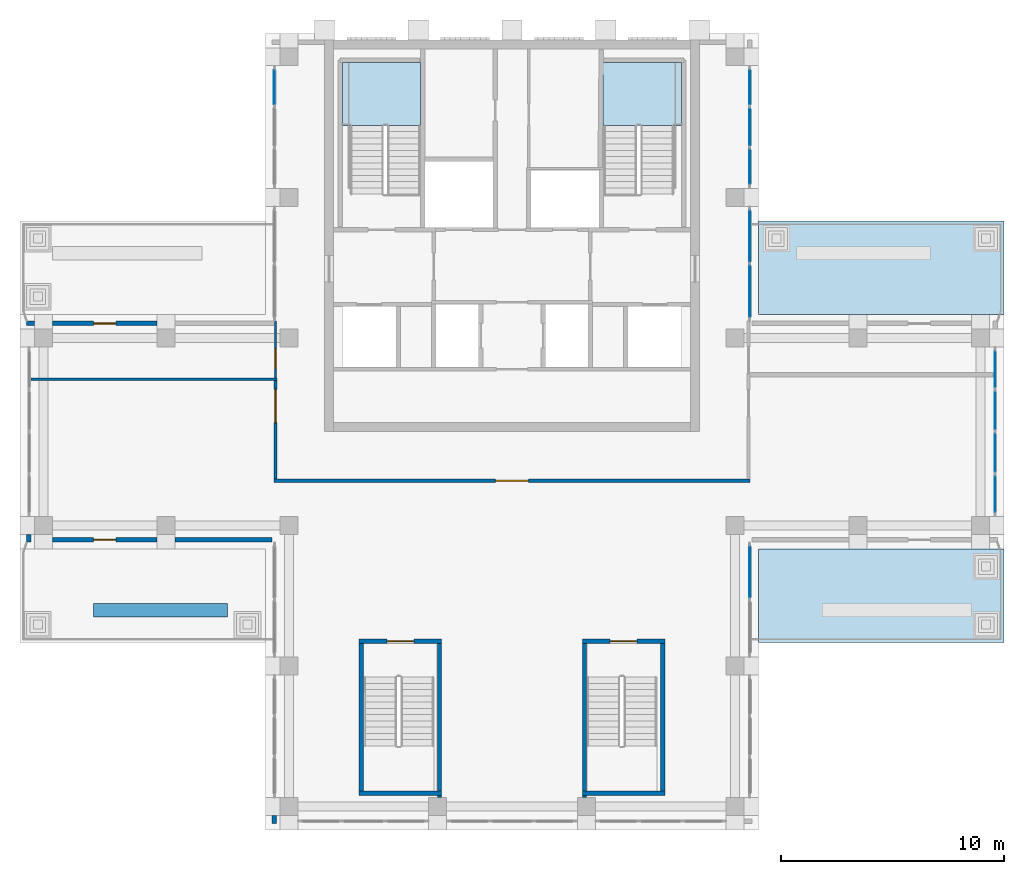
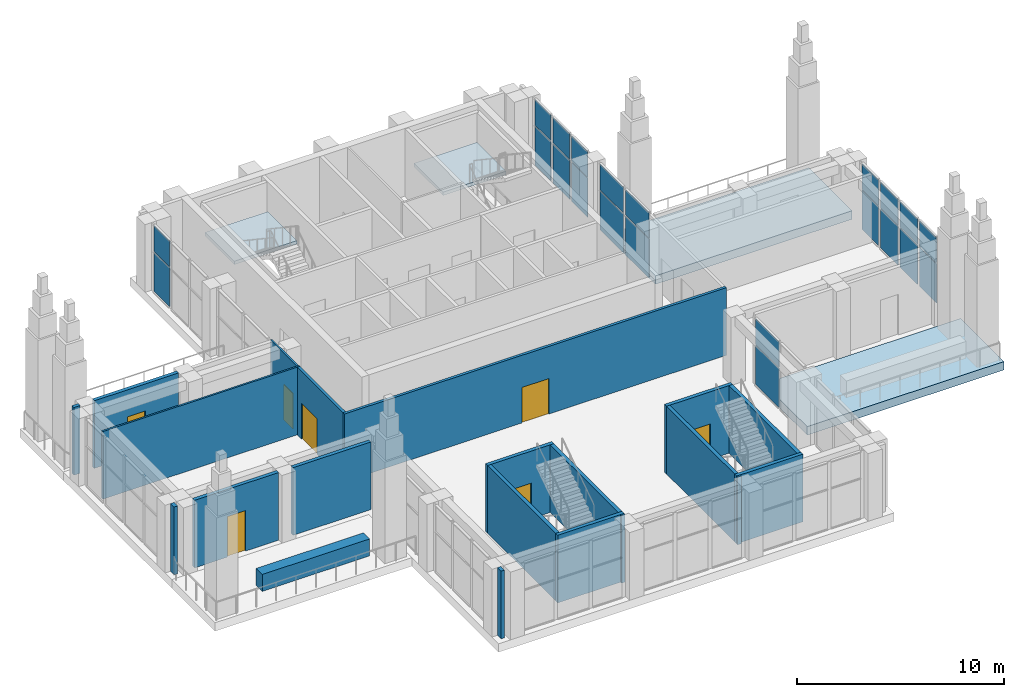
# One storey, part 8 of 14: 22 plates, 19 walls, 7 doors, 4 slabs, 7 openings, 7 elements without a shape of their own.
"""IFC4 building model written with IfcOpenShell, lengths in metres."""

from ifc_helpers import new_model, si_unit, direction, frame, frame_2d, origin, origin_2d, place, context, subcontext, project, spatial, polyline, rectangle, outline, extrude, material, layer, layer_set, type_object, element, fill, aggregate, save


model = new_model("IFC4")

# Units and contexts
model_context = context("Model", 3, precision=1e-05, world=origin(), true_north=direction((0.0, 1.0)))
body_context = subcontext(model_context, "Body", "Model", "MODEL_VIEW")
ifc_project = project(units=[si_unit("LENGTHUNIT", "METRE"), si_unit("AREAUNIT", "SQUARE_METRE"), si_unit("VOLUMEUNIT", "CUBIC_METRE"), si_unit("PLANEANGLEUNIT", "RADIAN"), si_unit("MASSUNIT", "GRAM", prefix="KILO")], contexts=[model_context])

# Site, building, storey
site_placement = place(None, origin())
site = spatial("IfcSite", under=ifc_project, at=site_placement, CompositionType="ELEMENT")
building_placement = place(site_placement, origin())
building = spatial("IfcBuilding", under=site, at=building_placement, Name="Vermilion Ogive Tower", CompositionType="ELEMENT")
storey_placement = place(building_placement, frame((0.0, 0.0, 284.85009765625)))
storey = spatial("IfcBuildingStorey", under=building, at=storey_placement, Name="L74", CompositionType="ELEMENT", Elevation=284.85009765625)

# Curtain wall, plates
ifc_material_1 = material(Name="Low-iron laminated glazing in aluminium frame", Category="aluminium")
curtain_wall_type = type_object("IfcCurtainWallType", Name="Curtain wall CW3", PredefinedType="NOTDEFINED", material=ifc_material_1)
curtain_wall_1_placement = place(storey_placement, origin())
curtain_wall_1 = element("IfcCurtainWall", 1, at=curtain_wall_1_placement, inside=storey, type_object=curtain_wall_type, Name="CW3 glazing X12", PredefinedType="NOTDEFINED")
ifc_material_2 = material(Name="Low-iron laminated glazing in aluminium frame", Category="aluminium")
ifc_layer_1 = layer(ifc_material_2, 0.035888671875)
ifc_layer_set_1 = layer_set([ifc_layer_1], Name="CW3 glazing panel 36")
plate_type = type_object("IfcPlateType", Name="CW3 glazing panel 36", PredefinedType="CURTAIN_PANEL", material=ifc_layer_set_1)
plate_1_placement = place(storey_placement, frame((10.64990234375, -2.08740234375, 0.059814453125), z_axis=(0.0, 0.0, 1.0), x_axis=(0.0, 1.0, 0.0)))
plate_1 = element("IfcPlate", 2, at=plate_1_placement, type_object=plate_type, Name="CW3-X12 panel 2.1", PredefinedType="CURTAIN_PANEL", context=body_context, shape_type="SweptSolid", body=[
    extrude(rectangle(XDim=2.27490234375, YDim=0.035888671875, at=origin_2d()), origin(), (0.0, 0.0, 1.0), 2.31005859375),
])
plate_2_placement = place(storey_placement, frame((10.64990234375, -2.08740234375, 2.4296875), z_axis=(0.0, 0.0, 1.0), x_axis=(0.0, 1.0, 0.0)))
plate_2 = element("IfcPlate", 3, at=plate_2_placement, type_object=plate_type, Name="CW3-X12 panel 2.2", PredefinedType="CURTAIN_PANEL", context=body_context, shape_type="SweptSolid", body=[
    extrude(rectangle(XDim=2.27490234375, YDim=0.035888671875, at=origin_2d()), origin(), (0.0, 0.0, 1.0), 1.510009765625),
])
aggregate(curtain_wall_1, [plate_1, plate_2])

curtain_wall_2_placement = place(storey_placement, origin())
curtain_wall_2 = element("IfcCurtainWall", 4, at=curtain_wall_2_placement, inside=storey, type_object=curtain_wall_type, Name="CW3 glazing E1", PredefinedType="NOTDEFINED")
plate_3_placement = place(storey_placement, frame((21.64990234375, 1.39990234375, 0.059814453125), z_axis=(0.0, 0.0, 1.0), x_axis=(0.0, 1.0, 0.0)))
plate_3 = element("IfcPlate", 5, at=plate_3_placement, type_object=plate_type, Name="CW3-E1 panel 1.1", PredefinedType="CURTAIN_PANEL", context=body_context, shape_type="SweptSolid", body=[
    extrude(rectangle(XDim=1.60009765625, YDim=0.035888671875, at=origin_2d()), origin(), (0.0, 0.0, 1.0), 2.31005859375),
])
plate_4_placement = place(storey_placement, frame((21.64990234375, 1.39990234375, 2.4296875), z_axis=(0.0, 0.0, 1.0), x_axis=(0.0, 1.0, 0.0)))
plate_4 = element("IfcPlate", 6, at=plate_4_placement, type_object=plate_type, Name="CW3-E1 panel 1.2", PredefinedType="CURTAIN_PANEL", context=body_context, shape_type="SweptSolid", body=[
    extrude(rectangle(XDim=1.60009765625, YDim=0.035888671875, at=origin_2d()), origin(), (0.0, 0.0, 1.0), 1.510009765625),
])
plate_5_placement = place(storey_placement, frame((21.64990234375, 3.25, 0.059814453125), z_axis=(0.0, 0.0, 1.0), x_axis=(0.0, 1.0, 0.0)))
plate_5 = element("IfcPlate", 7, at=plate_5_placement, type_object=plate_type, Name="CW3-E1 panel 2.1", PredefinedType="CURTAIN_PANEL", context=body_context, shape_type="SweptSolid", body=[
    extrude(rectangle(XDim=1.699951171875, YDim=0.035888671875, at=origin_2d()), origin(), (0.0, 0.0, 1.0), 2.31005859375),
])
plate_6_placement = place(storey_placement, frame((21.64990234375, 3.25, 2.4296875), z_axis=(0.0, 0.0, 1.0), x_axis=(0.0, 1.0, 0.0)))
plate_6 = element("IfcPlate", 8, at=plate_6_placement, type_object=plate_type, Name="CW3-E1 panel 2.2", PredefinedType="CURTAIN_PANEL", context=body_context, shape_type="SweptSolid", body=[
    extrude(rectangle(XDim=1.699951171875, YDim=0.035888671875, at=origin_2d()), origin(), (0.0, 0.0, 1.0), 1.510009765625),
])
plate_7_placement = place(storey_placement, frame((21.64990234375, 5.14990234375, 0.059814453125), z_axis=(0.0, 0.0, 1.0), x_axis=(0.0, 1.0, 0.0)))
plate_7 = element("IfcPlate", 9, at=plate_7_placement, type_object=plate_type, Name="CW3-E1 panel 3.1", PredefinedType="CURTAIN_PANEL", context=body_context, shape_type="SweptSolid", body=[
    extrude(rectangle(XDim=1.699951171875, YDim=0.035888671875, at=origin_2d()), origin(), (0.0, 0.0, 1.0), 2.31005859375),
])
plate_8_placement = place(storey_placement, frame((21.64990234375, 5.14990234375, 2.4296875), z_axis=(0.0, 0.0, 1.0), x_axis=(0.0, 1.0, 0.0)))
plate_8 = element("IfcPlate", 10, at=plate_8_placement, type_object=plate_type, Name="CW3-E1 panel 3.2", PredefinedType="CURTAIN_PANEL", context=body_context, shape_type="SweptSolid", body=[
    extrude(rectangle(XDim=1.699951171875, YDim=0.035888671875, at=origin_2d()), origin(), (0.0, 0.0, 1.0), 1.510009765625),
])
plate_9_placement = place(storey_placement, frame((21.64990234375, 7.0, 0.059814453125), z_axis=(0.0, 0.0, 1.0), x_axis=(0.0, 1.0, 0.0)))
plate_9 = element("IfcPlate", 11, at=plate_9_placement, type_object=plate_type, Name="CW3-E1 panel 4.1", PredefinedType="CURTAIN_PANEL", context=body_context, shape_type="SweptSolid", body=[
    extrude(rectangle(XDim=1.60009765625, YDim=0.035888671875, at=origin_2d()), origin(), (0.0, 0.0, 1.0), 2.31005859375),
])
plate_10_placement = place(storey_placement, frame((21.64990234375, 7.0, 2.4296875), z_axis=(0.0, 0.0, 1.0), x_axis=(0.0, 1.0, 0.0)))
plate_10 = element("IfcPlate", 12, at=plate_10_placement, type_object=plate_type, Name="CW3-E1 panel 4.2", PredefinedType="CURTAIN_PANEL", context=body_context, shape_type="SweptSolid", body=[
    extrude(rectangle(XDim=1.60009765625, YDim=0.035888671875, at=origin_2d()), origin(), (0.0, 0.0, 1.0), 1.510009765625),
])
aggregate(curtain_wall_2, [plate_3, plate_4, plate_5, plate_6, plate_7, plate_8, plate_9, plate_10])

curtain_wall_3_placement = place(storey_placement, origin())
curtain_wall_3 = element("IfcCurtainWall", 13, at=curtain_wall_3_placement, inside=storey, type_object=curtain_wall_type, Name="CW3 glazing X41", PredefinedType="NOTDEFINED")
plate_11_placement = place(storey_placement, frame((10.64990234375, 10.487548828125, 0.059814453125), z_axis=(0.0, 0.0, 1.0), x_axis=(0.0, 1.0, 0.0)))
plate_11 = element("IfcPlate", 14, at=plate_11_placement, type_object=plate_type, Name="CW3-X41 panel 1.1", PredefinedType="CURTAIN_PANEL", context=body_context, shape_type="SweptSolid", body=[
    extrude(rectangle(XDim=2.27490234375, YDim=0.035888671875, at=origin_2d()), origin(), (0.0, 0.0, 1.0), 2.31005859375),
])
plate_12_placement = place(storey_placement, frame((10.64990234375, 10.487548828125, 2.4296875), z_axis=(0.0, 0.0, 1.0), x_axis=(0.0, 1.0, 0.0)))
plate_12 = element("IfcPlate", 15, at=plate_12_placement, type_object=plate_type, Name="CW3-X41 panel 1.2", PredefinedType="CURTAIN_PANEL", context=body_context, shape_type="SweptSolid", body=[
    extrude(rectangle(XDim=2.27490234375, YDim=0.035888671875, at=origin_2d()), origin(), (0.0, 0.0, 1.0), 1.510009765625),
])
plate_13_placement = place(storey_placement, frame((10.64990234375, 12.96240234375, 0.059814453125), z_axis=(0.0, 0.0, 1.0), x_axis=(0.0, 1.0, 0.0)))
plate_13 = element("IfcPlate", 16, at=plate_13_placement, type_object=plate_type, Name="CW3-X41 panel 2.1", PredefinedType="CURTAIN_PANEL", context=body_context, shape_type="SweptSolid", body=[
    extrude(rectangle(XDim=2.27490234375, YDim=0.035888671875, at=origin_2d()), origin(), (0.0, 0.0, 1.0), 2.31005859375),
])
plate_14_placement = place(storey_placement, frame((10.64990234375, 12.96240234375, 2.4296875), z_axis=(0.0, 0.0, 1.0), x_axis=(0.0, 1.0, 0.0)))
plate_14 = element("IfcPlate", 17, at=plate_14_placement, type_object=plate_type, Name="CW3-X41 panel 2.2", PredefinedType="CURTAIN_PANEL", context=body_context, shape_type="SweptSolid", body=[
    extrude(rectangle(XDim=2.27490234375, YDim=0.035888671875, at=origin_2d()), origin(), (0.0, 0.0, 1.0), 1.510009765625),
])
aggregate(curtain_wall_3, [plate_11, plate_12, plate_13, plate_14])

curtain_wall_4_placement = place(storey_placement, origin())
curtain_wall_4 = element("IfcCurtainWall", 18, at=curtain_wall_4_placement, inside=storey, type_object=curtain_wall_type, Name="CW3 glazing X42", PredefinedType="NOTDEFINED")
plate_15_placement = place(storey_placement, frame((10.64990234375, 16.066650390625, 0.059814453125), z_axis=(0.0, 0.0, 1.0), x_axis=(0.0, 1.0, 0.0)))
plate_15 = element("IfcPlate", 19, at=plate_15_placement, type_object=plate_type, Name="CW3-X42 panel 1.1", PredefinedType="CURTAIN_PANEL", context=body_context, shape_type="SweptSolid", body=[
    extrude(rectangle(XDim=1.533447265625, YDim=0.035888671875, at=origin_2d()), origin(), (0.0, 0.0, 1.0), 2.31005859375),
])
plate_16_placement = place(storey_placement, frame((10.64990234375, 16.066650390625, 2.4296875), z_axis=(0.0, 0.0, 1.0), x_axis=(0.0, 1.0, 0.0)))
plate_16 = element("IfcPlate", 20, at=plate_16_placement, type_object=plate_type, Name="CW3-X42 panel 1.2", PredefinedType="CURTAIN_PANEL", context=body_context, shape_type="SweptSolid", body=[
    extrude(rectangle(XDim=1.533447265625, YDim=0.035888671875, at=origin_2d()), origin(), (0.0, 0.0, 1.0), 1.510009765625),
])
plate_17_placement = place(storey_placement, frame((10.64990234375, 17.85009765625, 0.059814453125), z_axis=(0.0, 0.0, 1.0), x_axis=(0.0, 1.0, 0.0)))
plate_17 = element("IfcPlate", 21, at=plate_17_placement, type_object=plate_type, Name="CW3-X42 panel 2.1", PredefinedType="CURTAIN_PANEL", context=body_context, shape_type="SweptSolid", body=[
    extrude(rectangle(XDim=1.63330078125, YDim=0.035888671875, at=origin_2d()), origin(), (0.0, 0.0, 1.0), 2.31005859375),
])
plate_18_placement = place(storey_placement, frame((10.64990234375, 17.85009765625, 2.4296875), z_axis=(0.0, 0.0, 1.0), x_axis=(0.0, 1.0, 0.0)))
plate_18 = element("IfcPlate", 22, at=plate_18_placement, type_object=plate_type, Name="CW3-X42 panel 2.2", PredefinedType="CURTAIN_PANEL", context=body_context, shape_type="SweptSolid", body=[
    extrude(rectangle(XDim=1.63330078125, YDim=0.035888671875, at=origin_2d()), origin(), (0.0, 0.0, 1.0), 1.510009765625),
])
plate_19_placement = place(storey_placement, frame((10.64990234375, 19.63330078125, 0.059814453125), z_axis=(0.0, 0.0, 1.0), x_axis=(0.0, 1.0, 0.0)))
plate_19 = element("IfcPlate", 23, at=plate_19_placement, type_object=plate_type, Name="CW3-X42 panel 3.1", PredefinedType="CURTAIN_PANEL", context=body_context, shape_type="SweptSolid", body=[
    extrude(rectangle(XDim=1.533447265625, YDim=0.035888671875, at=origin_2d()), origin(), (0.0, 0.0, 1.0), 2.31005859375),
])
plate_20_placement = place(storey_placement, frame((10.64990234375, 19.63330078125, 2.4296875), z_axis=(0.0, 0.0, 1.0), x_axis=(0.0, 1.0, 0.0)))
plate_20 = element("IfcPlate", 24, at=plate_20_placement, type_object=plate_type, Name="CW3-X42 panel 3.2", PredefinedType="CURTAIN_PANEL", context=body_context, shape_type="SweptSolid", body=[
    extrude(rectangle(XDim=1.533447265625, YDim=0.035888671875, at=origin_2d()), origin(), (0.0, 0.0, 1.0), 1.510009765625),
])
aggregate(curtain_wall_4, [plate_15, plate_16, plate_17, plate_18, plate_19, plate_20])

curtain_wall_5_placement = place(storey_placement, origin())
curtain_wall_5 = element("IfcCurtainWall", 25, at=curtain_wall_5_placement, inside=storey, type_object=curtain_wall_type, Name="CW3 glazing X51", PredefinedType="NOTDEFINED")
plate_21_placement = place(storey_placement, frame((-10.64990234375, 19.63330078125, 0.059814453125), z_axis=(0.0, 0.0, 1.0), x_axis=(0.0, -1.0, 0.0)))
plate_21 = element("IfcPlate", 26, at=plate_21_placement, type_object=plate_type, Name="CW3-X51 panel 1.1", PredefinedType="CURTAIN_PANEL", context=body_context, shape_type="SweptSolid", body=[
    extrude(rectangle(XDim=1.533447265625, YDim=0.035888671875, at=origin_2d()), origin(), (0.0, 0.0, 1.0), 2.31005859375),
])
plate_22_placement = place(storey_placement, frame((-10.64990234375, 19.63330078125, 2.4296875), z_axis=(0.0, 0.0, 1.0), x_axis=(0.0, -1.0, 0.0)))
plate_22 = element("IfcPlate", 27, at=plate_22_placement, type_object=plate_type, Name="CW3-X51 panel 1.2", PredefinedType="CURTAIN_PANEL", context=body_context, shape_type="SweptSolid", body=[
    extrude(rectangle(XDim=1.533447265625, YDim=0.035888671875, at=origin_2d()), origin(), (0.0, 0.0, 1.0), 1.510009765625),
])
aggregate(curtain_wall_5, [plate_21, plate_22])

# Slabs
ifc_material_3 = material(Name="Concrete B45", Category="concrete")
ifc_layer_2 = layer(ifc_material_3, 0.5)
ifc_layer_set_2 = layer_set([ifc_layer_2], Name="Post-tensioned flat plate 500 B45")
slab_type_1 = type_object("IfcSlabType", Name="Post-tensioned flat plate 500 B45", PredefinedType="FLOOR", material=ifc_layer_set_2)
slab_1_placement = place(storey_placement, frame((0.0, 0.0, -0.5)))
element("IfcSlab", 28, at=slab_1_placement, inside=storey, type_object=slab_type_1, Name="L74-TR-1", PredefinedType="FLOOR", context=body_context, shape_type="SweptSolid", body=[
    extrude(outline(polyline([(11.050048828125, -5.25), (11.050048828125, -1.050048828125), (22.050048828125, -1.050048828125), (22.050048828125, -5.25), (11.050048828125, -5.25)])), origin(), (0.0, 0.0, 1.0), 0.5),
])
slab_2_placement = place(storey_placement, frame((0.0, 0.0, -0.5)))
element("IfcSlab", 29, at=slab_2_placement, inside=storey, type_object=slab_type_1, Name="L74-TR-3", PredefinedType="FLOOR", context=body_context, shape_type="SweptSolid", body=[
    extrude(outline(polyline([(22.050048828125, 9.449951171875), (11.050048828125, 9.449951171875), (11.050048828125, 13.64990234375), (22.050048828125, 13.64990234375), (22.050048828125, 9.449951171875)])), origin(), (0.0, 0.0, 1.0), 0.5),
])

# Stair, slab
ifc_material_4 = material(Name="Concrete B40", Category="concrete")
stair_type = type_object("IfcStairType", Name="Exit stair 1500", PredefinedType="HALF_TURN_STAIR", material=ifc_material_4)
stair_1_placement = place(storey_placement, origin())
stair_1 = element("IfcStair", 30, at=stair_1_placement, inside=storey, type_object=stair_type, Name="L74 Exit Stair ST1", PredefinedType="HALF_TURN_STAIR")
ifc_material_5 = material(Name="Concrete B40", Category="concrete")
ifc_layer_3 = layer(ifc_material_5, 0.199951171875)
ifc_layer_set_3 = layer_set([ifc_layer_3], Name="Stair landing 200")
slab_type_2 = type_object("IfcSlabType", Name="Stair landing 200", PredefinedType="LANDING", material=ifc_layer_set_3)
slab_3_placement = place(storey_placement, frame((0.0, 0.0, 2.0498046875)))
slab_3 = element("IfcSlab", 31, at=slab_3_placement, type_object=slab_type_2, Name="ST1 landing 1", PredefinedType="LANDING", context=body_context, shape_type="SweptSolid", body=[
    extrude(outline(polyline([(-7.60009765625, 17.929931640625), (-7.25, 17.929931640625), (-7.25, 17.927978515625), (-5.75, 17.927978515625), (-5.75, 17.929931640625), (-5.60009765625, 17.929931640625), (-5.60009765625, 17.927978515625), (-4.10009765625, 17.927978515625), (-4.10009765625, 20.75), (-7.60009765625, 20.75), (-7.60009765625, 17.929931640625)])), origin(), (0.0, 0.0, 1.0), 0.2001953125),
])
aggregate(stair_1, [slab_3])

stair_2_placement = place(storey_placement, origin())
stair_2 = element("IfcStair", 32, at=stair_2_placement, inside=storey, type_object=stair_type, Name="L74 Exit Stair ST2", PredefinedType="HALF_TURN_STAIR")
slab_4_placement = place(storey_placement, frame((0.0, 0.0, 2.0498046875)))
slab_4 = element("IfcSlab", 33, at=slab_4_placement, type_object=slab_type_2, Name="ST2 landing 1", PredefinedType="LANDING", context=body_context, shape_type="SweptSolid", body=[
    extrude(outline(polyline([(5.60009765625, 17.929931640625), (5.75, 17.929931640625), (5.75, 17.927978515625), (7.25, 17.927978515625), (7.25, 17.929931640625), (7.60009765625, 17.929931640625), (7.60009765625, 20.75), (4.074951171875, 20.75), (4.074951171875, 17.929931640625), (4.10009765625, 17.929931640625), (4.10009765625, 17.927978515625), (5.60009765625, 17.927978515625), (5.60009765625, 17.929931640625)])), origin(), (0.0, 0.0, 1.0), 0.2001953125),
])
aggregate(stair_2, [slab_4])

# Wall
ifc_material_6 = material(Name="Gypsum board partition on steel studs", Category="steel")
ifc_layer_4 = layer(ifc_material_6, 0.10009765625)
ifc_layer_set_4 = layer_set([ifc_layer_4], Name="Partition 100 bath")
wall_type_1 = type_object("IfcWallType", Name="Partition 100 bath", PredefinedType="PARTITIONING", material=ifc_layer_set_4)
wall_1_placement = place(storey_placement, frame((-21.550048828125, 6.550048828125, 0.0), z_axis=(0.0, 0.0, 1.0), x_axis=(1.0, 0.0, 0.0)))
element("IfcWall", 34, at=wall_1_placement, inside=storey, type_object=wall_type_1, Name="L74-FS-W-W002", PredefinedType="PARTITIONING", context=body_context, shape_type="SweptSolid", body=[
    extrude(rectangle(XDim=11.025146484375, YDim=0.10009765625, at=frame_2d((5.5126953125, 0.0))), origin(), (0.0, 0.0, 1.0), 4.0),
])

# Wall, opening, door
wall_2_placement = place(storey_placement, frame((-10.60009765625, 6.60009765625, 0.0), z_axis=(0.0, 0.0, 1.0), x_axis=(0.0, 1.0, 0.0)))
wall_2 = element("IfcWall", 35, at=wall_2_placement, inside=storey, type_object=wall_type_1, Name="L74-FS-W-W005", PredefinedType="PARTITIONING", context=body_context, shape_type="SweptSolid", body=[
    extrude(rectangle(XDim=2.5498046875, YDim=0.10009765625, at=frame_2d((1.27490234375, 0.0))), origin(), (0.0, 0.0, 1.0), 4.0),
])
opening_1_placement = place(wall_2_placement, frame((0.4248046875, 0.0, 0.0)))
opening_1 = element("IfcOpeningElement", 36, at=opening_1_placement, cuts=wall_2, Name="Opening L74S003", PredefinedType="OPENING", context=body_context, shape_type="SweptSolid", body=[
    extrude(rectangle(XDim=0.89990234375, YDim=2.10009765625, at=frame_2d((0.449951171875, 1.050048828125))), frame((0.0, 0.06005859375, 0.0), z_axis=(0.0, -1.0, 0.0), x_axis=(1.0, 0.0, 0.0)), (0.0, 0.0, 1.0), 0.1201171875),
])
ifc_material_7 = material(Name="Timber door leaf", Category="wood")
door_type_1 = type_object("IfcDoorType", Name="Room door 900 x 2100 FD30", OperationType="SINGLE_SWING_LEFT", PredefinedType="DOOR", material=ifc_material_7)
door_1_placement = place(opening_1_placement, origin())
door_1 = element("IfcDoor", 37, at=door_1_placement, inside=storey, type_object=door_type_1, Name="L74-FS-D-D003", OperationType="SINGLE_SWING_LEFT", OverallHeight=2.10009765625, OverallWidth=0.89990234375, PredefinedType="DOOR", context=body_context, shape_type="SweptSolid", body=[
    extrude(rectangle(XDim=0.89990234375, YDim=2.10009765625, at=frame_2d((0.449951171875, 1.050048828125))), frame((0.0, 0.02490234375, 0.0), z_axis=(0.0, -1.0, 0.0), x_axis=(1.0, 0.0, 0.0)), (0.0, 0.0, 1.0), 0.050048828125),
])
fill(opening_1, door_1)

ifc_material_8 = material(Name="Gypsum board partition on steel studs", Category="steel")
ifc_layer_5 = layer(ifc_material_8, 0.14990234375)
ifc_layer_set_5 = layer_set([ifc_layer_5], Name="Partition 150 corridor")
wall_type_2 = type_object("IfcWallType", Name="Partition 150 corridor", PredefinedType="PARTITIONING", material=ifc_layer_set_5)
wall_3_placement = place(storey_placement, frame((-10.675048828125, 2.0, 0.0), z_axis=(0.0, 0.0, 1.0), x_axis=(1.0, 0.0, 0.0)))
wall_3 = element("IfcWall", 38, at=wall_3_placement, inside=storey, type_object=wall_type_2, Name="L74-FS-W-W001", PredefinedType="PARTITIONING", context=body_context, shape_type="SweptSolid", body=[
    extrude(rectangle(XDim=21.35009765625, YDim=0.14990234375, at=frame_2d((10.675048828125, 0.0))), origin(), (0.0, 0.0, 1.0), 4.0),
])
opening_2_placement = place(wall_3_placement, frame((9.925048828125, 0.0, 0.0)))
opening_2 = element("IfcOpeningElement", 39, at=opening_2_placement, cuts=wall_3, Name="Opening L74S001", PredefinedType="OPENING", context=body_context, shape_type="SweptSolid", body=[
    extrude(rectangle(XDim=1.5, YDim=2.10009765625, at=frame_2d((0.75, 1.050048828125))), frame((0.0, 0.0849609375, 0.0), z_axis=(0.0, -1.0, 0.0), x_axis=(1.0, 0.0, 0.0)), (0.0, 0.0, 1.0), 0.169921875),
])
ifc_material_9 = material(Name="Timber door leaf", Category="wood")
door_type_2 = type_object("IfcDoorType", Name="Assembly door 1500 x 2100 FD30", OperationType="DOUBLE_DOOR_SINGLE_SWING", PredefinedType="DOOR", material=ifc_material_9)
door_2_placement = place(opening_2_placement, origin())
door_2 = element("IfcDoor", 40, at=door_2_placement, inside=storey, type_object=door_type_2, Name="L74-FS-D-D001", OperationType="DOUBLE_DOOR_SINGLE_SWING", OverallHeight=2.10009765625, OverallWidth=1.5, PredefinedType="DOOR", context=body_context, shape_type="SweptSolid", body=[
    extrude(rectangle(XDim=1.5, YDim=2.10009765625, at=frame_2d((0.75, 1.050048828125))), frame((0.0, 0.02490234375, 0.0), z_axis=(0.0, -1.0, 0.0), x_axis=(1.0, 0.0, 0.0)), (0.0, 0.0, 1.0), 0.050048828125),
])
fill(opening_2, door_2)

wall_4_placement = place(storey_placement, frame((-10.60009765625, 2.074951171875, 0.0), z_axis=(0.0, 0.0, 1.0), x_axis=(0.0, 1.0, 0.0)))
wall_4 = element("IfcWall", 41, at=wall_4_placement, inside=storey, type_object=wall_type_2, Name="L74-FS-W-W004", PredefinedType="PARTITIONING", context=body_context, shape_type="SweptSolid", body=[
    extrude(rectangle(XDim=4.425048828125, YDim=0.14990234375, at=frame_2d((2.21240234375, 0.0))), origin(), (0.0, 0.0, 1.0), 4.0),
])
opening_3_placement = place(wall_4_placement, frame((2.525146484375, 0.0, 0.0)))
opening_3 = element("IfcOpeningElement", 42, at=opening_3_placement, cuts=wall_4, Name="Opening L74S002", PredefinedType="OPENING", context=body_context, shape_type="SweptSolid", body=[
    extrude(rectangle(XDim=1.5, YDim=2.10009765625, at=frame_2d((0.75, 1.050048828125))), frame((0.0, 0.0849609375, 0.0), z_axis=(0.0, -1.0, 0.0), x_axis=(1.0, 0.0, 0.0)), (0.0, 0.0, 1.0), 0.169921875),
])
door_3_placement = place(opening_3_placement, origin())
door_3 = element("IfcDoor", 43, at=door_3_placement, inside=storey, type_object=door_type_2, Name="L74-FS-D-D002", OperationType="DOUBLE_DOOR_SINGLE_SWING", OverallHeight=2.10009765625, OverallWidth=1.5, PredefinedType="DOOR", context=body_context, shape_type="SweptSolid", body=[
    extrude(rectangle(XDim=1.5, YDim=2.10009765625, at=frame_2d((0.75, 1.050048828125))), frame((0.0, 0.02490234375, 0.0), z_axis=(0.0, -1.0, 0.0), x_axis=(1.0, 0.0, 0.0)), (0.0, 0.0, 1.0), 0.050048828125),
])
fill(opening_3, door_3)

ifc_material_10 = material(Name="Concrete B60", Category="concrete")
ifc_layer_6 = layer(ifc_material_10, 0.199951171875)
ifc_layer_set_6 = layer_set([ifc_layer_6], Name="Stair enclosure wall 200 Concrete B60")
wall_type_3 = type_object("IfcWallType", Name="Stair enclosure wall 200 Concrete B60", PredefinedType="PARTITIONING", material=ifc_layer_set_6)
wall_5_placement = place(storey_placement, frame((3.14990234375, -5.199951171875, 0.0), z_axis=(0.0, 0.0, 1.0), x_axis=(1.0, 0.0, 0.0)))
wall_5 = element("IfcWall", 44, at=wall_5_placement, inside=storey, type_object=wall_type_3, Name="L74-SW-ST6-N1", PredefinedType="PARTITIONING", context=body_context, shape_type="SweptSolid", body=[
    extrude(rectangle(XDim=3.7001953125, YDim=0.199951171875, at=frame_2d((1.85009765625, 0.0))), origin(), (0.0, 0.0, 1.0), 4.0),
])
opening_4_placement = place(wall_5_placement, frame((1.25, 0.0, 0.0)))
opening_4 = element("IfcOpeningElement", 45, at=opening_4_placement, cuts=wall_5, Name="Opening L74-SD6", PredefinedType="OPENING", context=body_context, shape_type="SweptSolid", body=[
    extrude(rectangle(XDim=1.199951171875, YDim=2.10009765625, at=frame_2d((0.60009765625, 1.050048828125))), frame((0.0, 0.10986328125, 0.0), z_axis=(0.0, -1.0, 0.0), x_axis=(1.0, 0.0, 0.0)), (0.0, 0.0, 1.0), 0.219970703125),
])
ifc_material_11 = material(Name="Timber door leaf", Category="wood")
door_type_3 = type_object("IfcDoorType", Name="Stair door 1200 x 2100 FD60S", OperationType="SINGLE_SWING_LEFT", PredefinedType="DOOR", material=ifc_material_11)
door_4_placement = place(opening_4_placement, origin())
door_4 = element("IfcDoor", 46, at=door_4_placement, inside=storey, type_object=door_type_3, Name="Stair door ST6", OperationType="SINGLE_SWING_LEFT", OverallHeight=2.10009765625, OverallWidth=1.199951171875, PredefinedType="DOOR", context=body_context, shape_type="SweptSolid", body=[
    extrude(rectangle(XDim=1.199951171875, YDim=2.10009765625, at=frame_2d((0.60009765625, 1.050048828125))), frame((0.0, 0.02490234375, 0.0), z_axis=(0.0, -1.0, 0.0), x_axis=(1.0, 0.0, 0.0)), (0.0, 0.0, 1.0), 0.050048828125),
])
fill(opening_4, door_4)

wall_6_placement = place(storey_placement, frame((-6.85009765625, -5.199951171875, 0.0), z_axis=(0.0, 0.0, 1.0), x_axis=(1.0, 0.0, 0.0)))
wall_6 = element("IfcWall", 47, at=wall_6_placement, inside=storey, type_object=wall_type_3, Name="L74-SW-ST7-N1", PredefinedType="PARTITIONING", context=body_context, shape_type="SweptSolid", body=[
    extrude(rectangle(XDim=3.7001953125, YDim=0.199951171875, at=frame_2d((1.85009765625, 0.0))), origin(), (0.0, 0.0, 1.0), 4.0),
])
opening_5_placement = place(wall_6_placement, frame((1.25, 0.0, 0.0)))
opening_5 = element("IfcOpeningElement", 48, at=opening_5_placement, cuts=wall_6, Name="Opening L74-SD7", PredefinedType="OPENING", context=body_context, shape_type="SweptSolid", body=[
    extrude(rectangle(XDim=1.199951171875, YDim=2.10009765625, at=frame_2d((0.60009765625, 1.050048828125))), frame((0.0, 0.10986328125, 0.0), z_axis=(0.0, -1.0, 0.0), x_axis=(1.0, 0.0, 0.0)), (0.0, 0.0, 1.0), 0.219970703125),
])
door_5_placement = place(opening_5_placement, origin())
door_5 = element("IfcDoor", 49, at=door_5_placement, inside=storey, type_object=door_type_3, Name="Stair door ST7", OperationType="SINGLE_SWING_LEFT", OverallHeight=2.10009765625, OverallWidth=1.199951171875, PredefinedType="DOOR", context=body_context, shape_type="SweptSolid", body=[
    extrude(rectangle(XDim=1.199951171875, YDim=2.10009765625, at=frame_2d((0.60009765625, 1.050048828125))), frame((0.0, 0.02490234375, 0.0), z_axis=(0.0, -1.0, 0.0), x_axis=(1.0, 0.0, 0.0)), (0.0, 0.0, 1.0), 0.050048828125),
])
fill(opening_5, door_5)

# Walls
ifc_material_12 = material(Name="Concrete B60", Category="concrete")
ifc_layer_7 = layer(ifc_material_12, 0.199951171875)
ifc_layer_set_7 = layer_set([ifc_layer_7], Name="Stair shaft wall 200 Concrete B60")
wall_type_4 = type_object("IfcWallType", Name="Stair shaft wall 200 Concrete B60", PredefinedType="SOLIDWALL", material=ifc_layer_set_7)
wall_7_placement = place(storey_placement, frame((3.14990234375, -12.0, 0.0), z_axis=(0.0, 0.0, 1.0), x_axis=(1.0, 0.0, 0.0)))
element("IfcWall", 50, at=wall_7_placement, inside=storey, type_object=wall_type_4, Name="L74-SW-ST6-S1", PredefinedType="SOLIDWALL", context=body_context, shape_type="SweptSolid", body=[
    extrude(rectangle(XDim=3.7001953125, YDim=0.199951171875, at=frame_2d((1.85009765625, 0.0))), origin(), (0.0, 0.0, 1.0), 4.0),
])
wall_8_placement = place(storey_placement, frame((3.25, -12.199951171875, 0.0), z_axis=(0.0, 0.0, 1.0), x_axis=(0.0, 1.0, 0.0)))
element("IfcWall", 51, at=wall_8_placement, inside=storey, type_object=wall_type_4, Name="L74-SW-ST6-W1", PredefinedType="SOLIDWALL", context=body_context, shape_type="SweptSolid", body=[
    extrude(rectangle(XDim=6.89990234375, YDim=0.199951171875, at=frame_2d((3.449951171875, 0.0))), origin(), (0.0, 0.0, 1.0), 4.0),
])
wall_9_placement = place(storey_placement, frame((6.75, -11.89990234375, 0.0), z_axis=(0.0, 0.0, 1.0), x_axis=(0.0, 1.0, 0.0)))
element("IfcWall", 52, at=wall_9_placement, inside=storey, type_object=wall_type_4, Name="L74-SW-ST6-E1", PredefinedType="SOLIDWALL", context=body_context, shape_type="SweptSolid", body=[
    extrude(rectangle(XDim=6.599853515625, YDim=0.199951171875, at=frame_2d((3.2998046875, 0.0))), origin(), (0.0, 0.0, 1.0), 4.0),
])
wall_10_placement = place(storey_placement, frame((-6.85009765625, -12.0, 0.0), z_axis=(0.0, 0.0, 1.0), x_axis=(1.0, 0.0, 0.0)))
element("IfcWall", 53, at=wall_10_placement, inside=storey, type_object=wall_type_4, Name="L74-SW-ST7-S1", PredefinedType="SOLIDWALL", context=body_context, shape_type="SweptSolid", body=[
    extrude(rectangle(XDim=3.7001953125, YDim=0.199951171875, at=frame_2d((1.85009765625, 0.0))), origin(), (0.0, 0.0, 1.0), 4.0),
])
wall_11_placement = place(storey_placement, frame((-6.75, -11.89990234375, 0.0), z_axis=(0.0, 0.0, 1.0), x_axis=(0.0, 1.0, 0.0)))
element("IfcWall", 54, at=wall_11_placement, inside=storey, type_object=wall_type_4, Name="L74-SW-ST7-W1", PredefinedType="SOLIDWALL", context=body_context, shape_type="SweptSolid", body=[
    extrude(rectangle(XDim=6.599853515625, YDim=0.199951171875, at=frame_2d((3.2998046875, 0.0))), origin(), (0.0, 0.0, 1.0), 4.0),
])
wall_12_placement = place(storey_placement, frame((-3.25, -12.199951171875, 0.0), z_axis=(0.0, 0.0, 1.0), x_axis=(0.0, 1.0, 0.0)))
element("IfcWall", 55, at=wall_12_placement, inside=storey, type_object=wall_type_4, Name="L74-SW-ST7-E1", PredefinedType="SOLIDWALL", context=body_context, shape_type="SweptSolid", body=[
    extrude(rectangle(XDim=6.89990234375, YDim=0.199951171875, at=frame_2d((3.449951171875, 0.0))), origin(), (0.0, 0.0, 1.0), 4.0),
])
ifc_material_13 = material(Name="Concrete B40", Category="concrete")
ifc_layer_8 = layer(ifc_material_13, 0.60009765625)
ifc_layer_set_8 = layer_set([ifc_layer_8], Name="Terrace planter")
wall_type_5 = type_object("IfcWallType", Name="Terrace planter", PredefinedType="USERDEFINED", material=ifc_layer_set_8)
wall_13_placement = place(storey_placement, frame((-12.75, -3.800048828125, 0.0), z_axis=(0.0, 0.0, 1.0), x_axis=(-1.0, 0.0, 0.0)))
element("IfcWall", 56, at=wall_13_placement, inside=storey, type_object=wall_type_5, Name="Terrace planter 1.1.1", ObjectType="PLANTER", PredefinedType="USERDEFINED", context=body_context, shape_type="SweptSolid", body=[
    extrude(rectangle(XDim=6.0, YDim=0.60009765625, at=frame_2d((3.0, 0.0))), origin(), (0.0, 0.0, 1.0), 1.0),
])

# Wall, opening, door
ifc_material_14 = material(Name="Aluminium window wall framing", Category="aluminium")
ifc_layer_9 = layer(ifc_material_14, 0.199951171875)
ifc_layer_set_9 = layer_set([ifc_layer_9], Name="Window wall")
wall_type_6 = type_object("IfcWallType", Name="Window wall", PredefinedType="STANDARD", material=ifc_layer_set_9)
wall_14_placement = place(storey_placement, frame((-15.89990234375, 9.050048828125, 0.0), z_axis=(0.0, 0.0, 1.0), x_axis=(-1.0, 0.0, 0.0)))
wall_14 = element("IfcWall", 57, at=wall_14_placement, inside=storey, type_object=wall_type_6, Name="Window wall X62", PredefinedType="STANDARD", context=body_context, shape_type="SweptSolid", body=[
    extrude(rectangle(XDim=4.7001953125, YDim=0.199951171875, at=frame_2d((2.35009765625, 0.0))), origin(), (0.0, 0.0, 1.0), 4.0),
])
opening_6_placement = place(wall_14_placement, frame((1.85009765625, 0.0, 0.0)))
opening_6 = element("IfcOpeningElement", 58, at=opening_6_placement, cuts=wall_14, Name="Opening D1-X6X", PredefinedType="OPENING", context=body_context, shape_type="SweptSolid", body=[
    extrude(rectangle(XDim=1.0, YDim=2.39990234375, at=frame_2d((0.5, 1.199951171875))), frame((0.0, 0.10986328125, 0.0), z_axis=(0.0, -1.0, 0.0), x_axis=(1.0, 0.0, 0.0)), (0.0, 0.0, 1.0), 0.219970703125),
])
ifc_material_15 = material(Name="Aluminium framed glazed door", Category="aluminium")
door_type_4 = type_object("IfcDoorType", Name="Balcony door D1", OperationType="SINGLE_SWING_LEFT", PredefinedType="DOOR", material=ifc_material_15)
door_6_placement = place(opening_6_placement, origin())
door_6 = element("IfcDoor", 59, at=door_6_placement, inside=storey, type_object=door_type_4, Name="Balcony door X6X", OperationType="SINGLE_SWING_LEFT", OverallHeight=2.39990234375, OverallWidth=1.0, PredefinedType="DOOR", context=body_context, shape_type="SweptSolid", body=[
    extrude(rectangle(XDim=1.0, YDim=2.39990234375, at=frame_2d((0.5, 1.199951171875))), frame((0.0, 0.02490234375, 0.0), z_axis=(0.0, -1.0, 0.0), x_axis=(1.0, 0.0, 0.0)), (0.0, 0.0, 1.0), 0.050048828125),
])
fill(opening_6, door_6)

# Walls
for number, where, z_axis, x_axis, name in (
    (60, (-21.39990234375, 9.050048828125, 0.0), (0.0, 0.0, 1.0), (-1.0, 0.0, 0.0), "Window wall X63"),
    (61, (-21.64990234375, -0.39990234375, 0.0), (0.0, 0.0, 1.0), (0.0, -1.0, 0.0), "Window wall W2"),
):
    element("IfcWall", number, at=place(storey_placement, frame(where, z_axis=z_axis, x_axis=x_axis)), inside=storey, type_object=wall_type_6, Name=name, PredefinedType="STANDARD", context=body_context, shape_type="SweptSolid", body=[
        extrude(rectangle(XDim=0.35009765625, YDim=0.199951171875, at=frame_2d((0.175048828125, 0.0))), origin(), (0.0, 0.0, 1.0), 4.0),
    ])

# Wall, opening, door
wall_15_placement = place(storey_placement, frame((-20.60009765625, -0.64990234375, 0.0), z_axis=(0.0, 0.0, 1.0), x_axis=(1.0, 0.0, 0.0)))
wall_15 = element("IfcWall", 62, at=wall_15_placement, inside=storey, type_object=wall_type_6, Name="Window wall X71", PredefinedType="STANDARD", context=body_context, shape_type="SweptSolid", body=[
    extrude(rectangle(XDim=4.7001953125, YDim=0.199951171875, at=frame_2d((2.35009765625, 0.0))), origin(), (0.0, 0.0, 1.0), 4.0),
])
opening_7_placement = place(wall_15_placement, frame((1.85009765625, 0.0, 0.0)))
opening_7 = element("IfcOpeningElement", 63, at=opening_7_placement, cuts=wall_15, Name="Opening D1-X7X", PredefinedType="OPENING", context=body_context, shape_type="SweptSolid", body=[
    extrude(rectangle(XDim=1.0, YDim=2.39990234375, at=frame_2d((0.5, 1.199951171875))), frame((0.0, 0.10986328125, 0.0), z_axis=(0.0, -1.0, 0.0), x_axis=(1.0, 0.0, 0.0)), (0.0, 0.0, 1.0), 0.219970703125),
])
door_7_placement = place(opening_7_placement, origin())
door_7 = element("IfcDoor", 64, at=door_7_placement, inside=storey, type_object=door_type_4, Name="Balcony door X7X", OperationType="SINGLE_SWING_LEFT", OverallHeight=2.39990234375, OverallWidth=1.0, PredefinedType="DOOR", context=body_context, shape_type="SweptSolid", body=[
    extrude(rectangle(XDim=1.0, YDim=2.39990234375, at=frame_2d((0.5, 1.199951171875))), frame((0.0, 0.02490234375, 0.0), z_axis=(0.0, -1.0, 0.0), x_axis=(1.0, 0.0, 0.0)), (0.0, 0.0, 1.0), 0.050048828125),
])
fill(opening_7, door_7)

# Walls
wall_16_placement = place(storey_placement, frame((-15.10009765625, -0.64990234375, 0.0), z_axis=(0.0, 0.0, 1.0), x_axis=(1.0, 0.0, 0.0)))
element("IfcWall", 65, at=wall_16_placement, inside=storey, type_object=wall_type_6, Name="Window wall X72", PredefinedType="STANDARD", context=body_context, shape_type="SweptSolid", body=[
    extrude(rectangle(XDim=4.35009765625, YDim=0.199951171875, at=frame_2d((2.175048828125, 0.0))), origin(), (0.0, 0.0, 1.0), 4.0),
])
wall_17_placement = place(storey_placement, frame((-10.64990234375, -13.0, 0.0), z_axis=(0.0, 0.0, 1.0), x_axis=(0.0, -1.0, 0.0)))
element("IfcWall", 66, at=wall_17_placement, inside=storey, type_object=wall_type_6, Name="Window wall X83", PredefinedType="STANDARD", context=body_context, shape_type="SweptSolid", body=[
    extrude(rectangle(XDim=0.35009765625, YDim=0.199951171875, at=frame_2d((0.175048828125, 0.0))), origin(), (0.0, 0.0, 1.0), 4.0),
])

save(model, "model.ifc")
